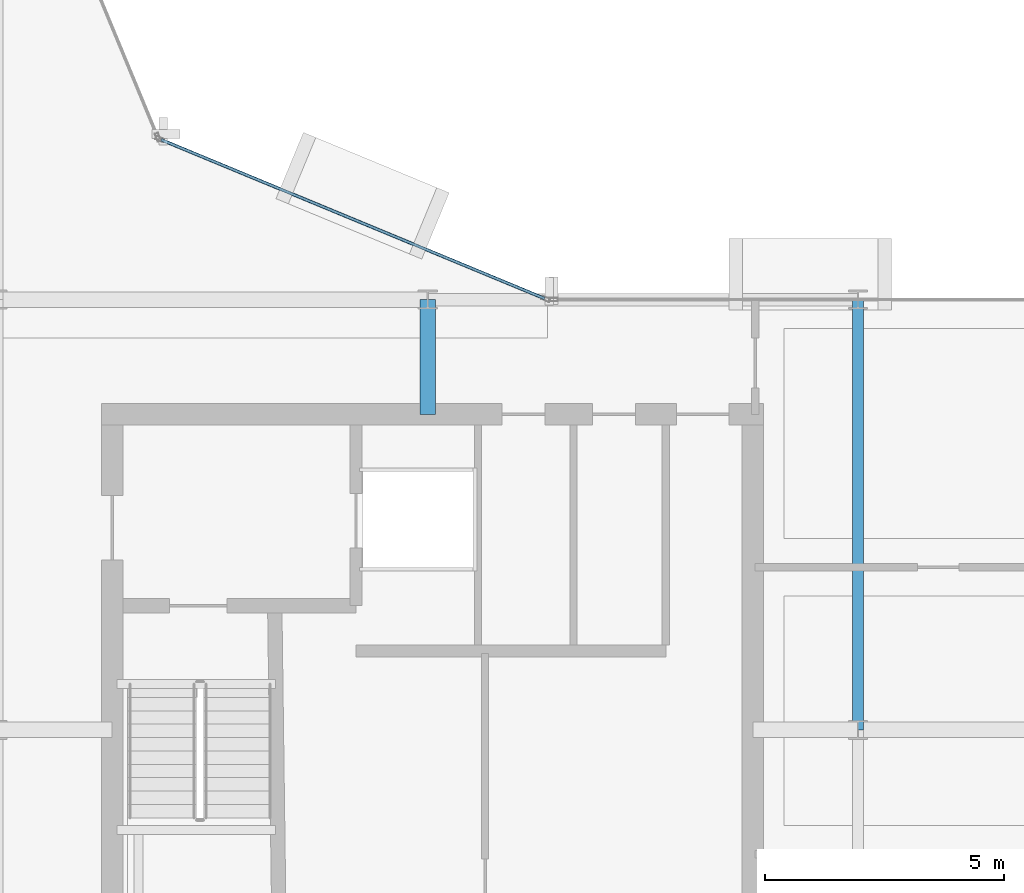
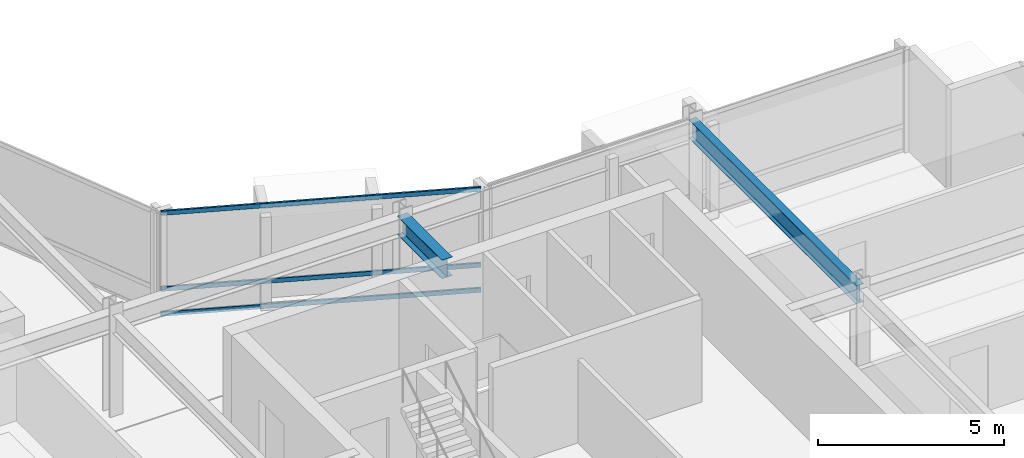
# One storey, part 12 of 27: 3 members, 2 beams, 1 element without a shape of its own.
"""IFC4 building model written with IfcOpenShell, lengths in metres."""

from ifc_helpers import new_model, si_unit, direction, frame, origin, origin_2d, place, context, subcontext, project, spatial, hollow_rectangle, i_section, extrude, material, layer, layer_set, material_profile, profile_set, type_object, element, aggregate, save


model = new_model("IFC4")

# Units and contexts
model_context = context("Model", 3, precision=1e-05, world=origin(), true_north=direction((0.0, 1.0)))
body_context = subcontext(model_context, "Body", "Model", "MODEL_VIEW")
ifc_project = project(units=[si_unit("LENGTHUNIT", "METRE"), si_unit("AREAUNIT", "SQUARE_METRE"), si_unit("VOLUMEUNIT", "CUBIC_METRE"), si_unit("PLANEANGLEUNIT", "RADIAN"), si_unit("MASSUNIT", "GRAM", prefix="KILO")], contexts=[model_context])

# Site, building, storey
site_placement = place(None, origin())
site = spatial("IfcSite", under=ifc_project, at=site_placement, CompositionType="ELEMENT")
building_placement = place(site_placement, origin())
building = spatial("IfcBuilding", under=site, at=building_placement, Name="Solvaryn Broadcast Tower", CompositionType="ELEMENT")
storey_placement = place(building_placement, frame((0.0, 0.0, 232.10009765625)))
storey = spatial("IfcBuildingStorey", under=building, at=storey_placement, Name="L58", CompositionType="ELEMENT", Elevation=232.10009765625)

# Beams
ifc_material_1 = material(Name="Steel ASTM A992 Grade 50", Category="steel")
ifc_material_profile_1 = material_profile(ifc_material_1, i_section(OverallWidth=0.323974609375, OverallDepth=0.611083984375, WebThickness=0.0126953125, FlangeThickness=0.01904296875, FilletRadius=0.014892578125, at=origin_2d()))
ifc_profile_set_1 = profile_set([ifc_material_profile_1], Name="Steel ASTM A992 Grade 50")
beam_type_1 = type_object("IfcBeamType", Name="BM-B1-W24X104", PredefinedType="BEAM", material=ifc_profile_set_1)
beam_1_placement = place(storey_placement, frame((36.0, 24.60009765625, 3.064453125), z_axis=(0.0, 1.0, 0.0), x_axis=(-1.0, 0.0, 0.0)))
element("IfcBeam", 1, at=beam_1_placement, inside=storey, type_object=beam_type_1, Name="L58 Core Tie Beam CTE2", PredefinedType="BEAM", context=body_context, shape_type="SweptSolid", body=[
    extrude(i_section(OverallWidth=0.323974609375, OverallDepth=0.611083984375, WebThickness=0.0126953125, FlangeThickness=0.01904296875, FilletRadius=0.014892578125, at=origin_2d()), origin(), (0.0, 0.0, 1.0), 2.39990234375),
])
ifc_material_2 = material(Name="Steel ASTM A992 Grade 50", Category="steel")
ifc_material_profile_2 = material_profile(ifc_material_2, i_section(OverallWidth=0.22802734375, OverallDepth=0.60791015625, WebThickness=0.01123046875, FlangeThickness=0.017333984375, FilletRadius=0.014892578125, at=origin_2d()))
ifc_profile_set_2 = profile_set([ifc_material_profile_2], Name="Steel ASTM A992 Grade 50")
beam_type_2 = type_object("IfcBeamType", Name="BM-B2-W24X76", PredefinedType="BEAM", material=ifc_profile_set_2)
beam_2_placement = place(storey_placement, frame((45.0, 18.0, 3.06591796875), z_axis=(0.0, 1.0, 0.0), x_axis=(-1.0, 0.0, 0.0)))
element("IfcBeam", 2, at=beam_2_placement, inside=storey, type_object=beam_type_2, Name="L58 Primary Beam Y (18-27 @ X=45)", PredefinedType="BEAM", context=body_context, shape_type="SweptSolid", body=[
    extrude(i_section(OverallWidth=0.22802734375, OverallDepth=0.60791015625, WebThickness=0.01123046875, FlangeThickness=0.017333984375, FilletRadius=0.014892578125, at=origin_2d()), origin(), (0.0, 0.0, 1.0), 9.0),
])

# Curtain wall, members
ifc_material_3 = material(Name="Aluminium and Terracotta Unitised Curtain Wall", Category="masonry")
ifc_layer = layer(ifc_material_3, 0.199951171875)
ifc_layer_set = layer_set([ifc_layer], Name="CW-SYS2-LOWMID")
curtain_wall_type = type_object("IfcCurtainWallType", Name="CW-SYS2-LOWMID", PredefinedType="NOTDEFINED", material=ifc_layer_set)
curtain_wall_placement = place(storey_placement, origin())
curtain_wall = element("IfcCurtainWall", 3, at=curtain_wall_placement, inside=storey, type_object=curtain_wall_type, Name="L58 Curtain Wall CN1", PredefinedType="NOTDEFINED")
ifc_material_4 = material(Name="Anodised Aluminium 6063-T6", Category="aluminium")
ifc_material_profile_3 = material_profile(ifc_material_4, hollow_rectangle(XDim=0.06494140625, YDim=0.14990234375, WallThickness=0.00390625, InnerFilletRadius=0.00390625, OuterFilletRadius=0.008056640625, at=origin_2d()))
ifc_profile_set_3 = profile_set([ifc_material_profile_3], Name="Anodised Aluminium 6063-T6")
member_type = type_object("IfcMemberType", Name="CW-TRN-150", PredefinedType="USERDEFINED", material=ifc_profile_set_3)
member_1_placement = place(storey_placement, frame((38.444580078125, 27.02294921875, 0.02978515625), z_axis=(-0.923899282177, 0.382635748975, 0.0), x_axis=(-0.382635748975, -0.923899282177, 0.0)))
member_1 = element("IfcMember", 4, at=member_1_placement, type_object=member_type, Name="CWS2 transom 1.1", ObjectType="TRANSOM", PredefinedType="USERDEFINED", context=body_context, shape_type="SweptSolid", body=[
    extrude(hollow_rectangle(XDim=0.06494140625, YDim=0.14990234375, WallThickness=0.00390625, InnerFilletRadius=0.00390625, OuterFilletRadius=0.008056640625, at=origin_2d()), origin(), (0.0, 0.0, 1.0), 8.681884765625),
])
member_2_placement = place(storey_placement, frame((38.444580078125, 27.02294921875, 0.849853515625), z_axis=(-0.923899282177, 0.382635748975, 0.0), x_axis=(-0.382635748975, -0.923899282177, 0.0)))
member_2 = element("IfcMember", 5, at=member_2_placement, type_object=member_type, Name="CWS2 transom 1.2", ObjectType="TRANSOM", PredefinedType="USERDEFINED", context=body_context, shape_type="SweptSolid", body=[
    extrude(hollow_rectangle(XDim=0.06494140625, YDim=0.14990234375, WallThickness=0.00390625, InnerFilletRadius=0.00390625, OuterFilletRadius=0.008056640625, at=origin_2d()), origin(), (0.0, 0.0, 1.0), 8.681884765625),
])
member_3_placement = place(storey_placement, frame((38.444580078125, 27.02294921875, 3.33984375), z_axis=(-0.923899282177, 0.382635748975, 0.0), x_axis=(-0.382635748975, -0.923899282177, 0.0)))
member_3 = element("IfcMember", 6, at=member_3_placement, type_object=member_type, Name="CWS2 transom 1.3", ObjectType="TRANSOM", PredefinedType="USERDEFINED", context=body_context, shape_type="SweptSolid", body=[
    extrude(hollow_rectangle(XDim=0.06494140625, YDim=0.14990234375, WallThickness=0.00390625, InnerFilletRadius=0.00390625, OuterFilletRadius=0.008056640625, at=origin_2d()), origin(), (0.0, 0.0, 1.0), 8.681884765625),
])
aggregate(curtain_wall, [member_1, member_2, member_3])

save(model, "model.ifc")
